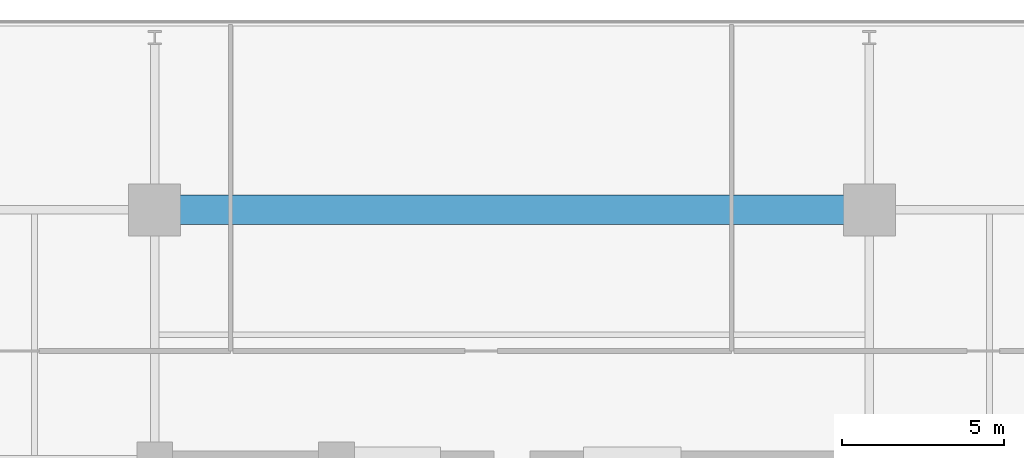
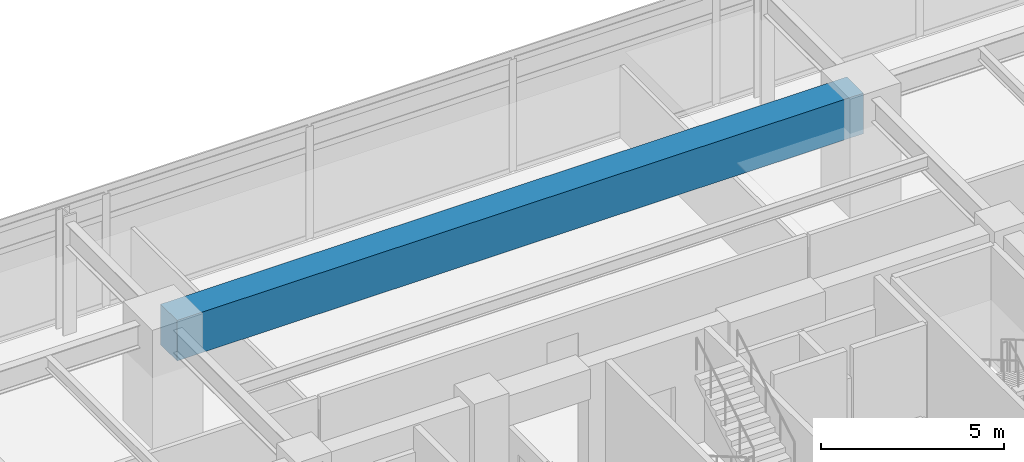
# One storey, part 9 of 23: 1 beam.
"""IFC4 building model written with IfcOpenShell, lengths in metres."""

import ifcopenshell
import ifcopenshell.guid

model = None  # the IFC model being written
_history = None  # IfcOwnerHistory: only IFC2X3 demands one
_inside = {}  # id of a spatial element -> (the spatial element, [elements in it])
_under = {}  # id of a project, library or spatial element -> (it, [spatial elements below it])
_declared = {}  # id of a project -> (the project, [libraries it declares])
_typed = {}  # id of a type object -> (the type object, [elements of that type])
_made_of = {}  # id of a material, layer set ... -> (it, [elements and type objects made of it])


def new_model(schema):
    """Start an empty IFC model of exactly this schema.

    Asked for "IFC4X3", IfcOpenShell would pick the latest addendum, in which some entities
    have other attributes; the version numbers below select the first issue.
    IFC2X3 requires an IfcOwnerHistory on every rooted entity: one is made here for all.
    """
    global model, _history
    if schema == "IFC4X3":
        model = ifcopenshell.file(schema_version=(4, 3, 0, 0))
    else:
        model = ifcopenshell.file(schema=schema)
    _inside.clear()
    _under.clear()
    _declared.clear()
    _typed.clear()
    _made_of.clear()
    _history = None
    if model.schema == "IFC2X3":
        org = make("IfcOrganization", Name="unknown")
        user = make(
            "IfcPersonAndOrganization",
            ThePerson=make("IfcPerson", FamilyName="unknown"),
            TheOrganization=org,
        )
        app = make(
            "IfcApplication",
            ApplicationDeveloper=org,
            Version="unknown",
            ApplicationFullName="unknown",
            ApplicationIdentifier="unknown",
        )
        _history = make(
            "IfcOwnerHistory",
            OwningUser=user,
            OwningApplication=app,
            ChangeAction="ADDED",
            CreationDate=0,
        )
    return model


def make(cls, **values):
    """One entity of the class cls with the attributes given. An attribute that is None is left unset."""
    return model.create_entity(
        cls, **{name: value for name, value in values.items() if value is not None}
    )


def rooted(cls, **values):
    """An entity with a GlobalId (a new one), such as an element, a storey or a relation."""
    return make(cls, GlobalId=ifcopenshell.guid.new(), OwnerHistory=_history, **values)


def si_unit(unit_type, name, prefix=None):
    """IfcSIUnit, for example si_unit("LENGTHUNIT", "METRE", prefix="MILLI")."""
    return make("IfcSIUnit", UnitType=unit_type, Prefix=prefix, Name=name)


def assignment(units):
    """IfcUnitAssignment: the units of a project."""
    return None if units is None else make("IfcUnitAssignment", Units=units)


def point(xyz):
    """IfcCartesianPoint."""
    return None if xyz is None else make("IfcCartesianPoint", Coordinates=xyz)


def direction(xyz):
    """IfcDirection."""
    return None if xyz is None else make("IfcDirection", DirectionRatios=xyz)


def frame(location, z_axis=None, x_axis=None):
    """IfcAxis2Placement3D, a coordinate frame: its origin and axes. An axis left out is left unset."""
    return make(
        "IfcAxis2Placement3D",
        Location=point(location),
        Axis=direction(z_axis),
        RefDirection=direction(x_axis),
    )


def frame_2d(location, x_axis=None):
    """IfcAxis2Placement2D, a coordinate frame in the plane: its origin and x axis."""
    return make(
        "IfcAxis2Placement2D", Location=point(location), RefDirection=direction(x_axis)
    )


def origin():
    """The frame at (0, 0, 0) with its axes left unset."""
    return frame((0.0, 0.0, 0.0))


def origin_2d():
    """The frame at (0, 0) in the plane with its x axis left unset."""
    return frame_2d((0.0, 0.0))


def place(relative_to, where):
    """IfcLocalPlacement: puts the frame where relative to a parent placement (None: the world)."""
    return make(
        "IfcLocalPlacement", PlacementRelTo=relative_to, RelativePlacement=where
    )


def context(
    kind, dimensions, precision=None, world=None, true_north=None, identifier=None
):
    """IfcGeometricRepresentationContext, for example the 3D "Model" context."""
    return make(
        "IfcGeometricRepresentationContext",
        ContextIdentifier=identifier,
        ContextType=kind,
        CoordinateSpaceDimension=dimensions,
        Precision=precision,
        WorldCoordinateSystem=world,
        TrueNorth=true_north,
    )


def subcontext(parent, identifier, kind, view, scale=None):
    """IfcGeometricRepresentationSubContext, for example "Body" below "Model"."""
    return make(
        "IfcGeometricRepresentationSubContext",
        ContextIdentifier=identifier,
        ContextType=kind,
        ParentContext=parent,
        TargetScale=scale,
        TargetView=view,
    )


def project(units=None, contexts=None):
    """IfcProject with its units and contexts."""
    return rooted(
        "IfcProject",
        Name="project",
        RepresentationContexts=contexts,
        UnitsInContext=assignment(units),
    )


def spatial(cls, under=None, at=None, **own):
    """A site, building, storey or space (cls), placed at a placement, below another one or the project."""
    s = rooted(cls, ObjectPlacement=at, **own)
    if under is not None:
        _under.setdefault(under.id(), (under, []))[1].append(s)
    return s


def profile(cls, at=None, kind="AREA", **sizes):
    """A parametric profile (cls). Its sizes go by their IFC names, for example OverallWidth=200.0."""
    return make(cls, ProfileType=kind, Position=at, **sizes)


def rectangle(**sizes):
    """IfcRectangleProfileDef."""
    return profile("IfcRectangleProfileDef", **sizes)


def extrude(swept, where, along, depth):
    """IfcExtrudedAreaSolid: the profile swept, set in the frame where, extruded along a direction by depth."""
    return make(
        "IfcExtrudedAreaSolid",
        SweptArea=swept,
        Position=where,
        ExtrudedDirection=direction(along),
        Depth=depth,
    )


def shape(context_of_items, identifier, shape_type, items):
    """IfcShapeRepresentation: the items that make up one representation, for example the "Body"."""
    return make(
        "IfcShapeRepresentation",
        ContextOfItems=context_of_items,
        RepresentationIdentifier=identifier,
        RepresentationType=shape_type,
        Items=items,
    )


def material(Name=None, Category=None):
    """IfcMaterial."""
    return make("IfcMaterial", Name=Name, Category=Category)


def material_profile(
    of_material, cross_section, Name=None, Category=None, Priority=None
):
    """IfcMaterialProfile: a cross section and its material."""
    return make(
        "IfcMaterialProfile",
        Name=Name,
        Material=of_material,
        Profile=cross_section,
        Priority=Priority,
        Category=Category,
    )


def profile_set(profiles, Name=None, composite=None):
    """IfcMaterialProfileSet."""
    return make(
        "IfcMaterialProfileSet",
        Name=Name,
        MaterialProfiles=profiles,
        CompositeProfile=composite,
    )


def made_of(thing, what):
    """Note that an element or type object is made of a material, layer set ...; save() writes the relation."""
    if what is not None:
        _made_of.setdefault(what.id(), (what, []))[1].append(thing)
    return thing


def type_object(cls, material=None, **own):
    """A type object (cls), such as IfcWallType, which elements share."""
    return made_of(rooted(cls, **own), material)


def element(
    cls,
    number,
    at=None,
    inside=None,
    cuts=None,
    type_object=None,
    material=None,
    context=None,
    identifier="Body",
    shape_type=None,
    held_by="IfcProductDefinitionShape",
    body=None,
    shapes=None,
    **own,
):
    """One element of the class cls, such as IfcWall. Its Tag is "e" and its number.

    at: its placement. inside: the storey or other place that contains it. cuts: it is an
    opening in that element (IfcRelVoidsElement). A single representation is given by context,
    identifier, shape_type and body (its items); several are given by shapes. held_by: the class
    of the entity that holds the representations. save() writes the other relations.
    """
    e = rooted(cls, Tag="e%d" % number, ObjectPlacement=at, **own)
    if body is not None:
        shapes = [shape(context, identifier, shape_type, body)]
    if shapes is not None:
        e.Representation = make(held_by, Representations=shapes)
    if inside is not None:
        _inside.setdefault(inside.id(), (inside, []))[1].append(e)
    if cuts is not None:
        rooted(
            "IfcRelVoidsElement", RelatingBuildingElement=cuts, RelatedOpeningElement=e
        )
    if type_object is not None:
        _typed.setdefault(type_object.id(), (type_object, []))[1].append(e)
    return made_of(e, material)


def aggregate(whole, parts):
    """IfcRelAggregates: a whole, such as a stair, and the parts it consists of."""
    return rooted("IfcRelAggregates", RelatingObject=whole, RelatedObjects=parts)


def save(model, path):
    """Write the relations noted so far, then the file.

    IfcRelAggregates (storeys below a building ...), IfcRelContainedInSpatialStructure (elements
    in a storey), IfcRelDefinesByType, IfcRelAssociatesMaterial and IfcRelDeclares: one each for
    every whole, place, type object, material and project.
    """
    for whole, parts in _under.values():
        aggregate(whole, parts)
    for where, things in _inside.values():
        rooted(
            "IfcRelContainedInSpatialStructure",
            RelatedElements=things,
            RelatingStructure=where,
        )
    for kind, things in _typed.values():
        rooted("IfcRelDefinesByType", RelatedObjects=things, RelatingType=kind)
    for what, things in _made_of.values():
        rooted("IfcRelAssociatesMaterial", RelatedObjects=things, RelatingMaterial=what)
    for by, libraries in _declared.values():
        rooted("IfcRelDeclares", RelatingContext=by, RelatedDefinitions=libraries)
    model.write(path)


model = new_model("IFC4")

# Units and contexts
model_context = context("Model", 3, precision=1e-05, world=origin(), true_north=direction((0.0, 1.0)))
body_context = subcontext(model_context, "Body", "Model", "MODEL_VIEW")
ifc_project = project(units=[si_unit("LENGTHUNIT", "METRE"), si_unit("AREAUNIT", "SQUARE_METRE"), si_unit("VOLUMEUNIT", "CUBIC_METRE"), si_unit("PLANEANGLEUNIT", "RADIAN"), si_unit("MASSUNIT", "GRAM", prefix="KILO")], contexts=[model_context])

# Site, building, storey
site_placement = place(None, origin())
site = spatial("IfcSite", under=ifc_project, at=site_placement, CompositionType="ELEMENT")
building_placement = place(site_placement, origin())
building = spatial("IfcBuilding", under=site, at=building_placement, Name="Kovane Verandah Tower", CompositionType="ELEMENT")
storey_placement = place(building_placement, frame((0.0, 0.0, 136.39990234375)))
storey = spatial("IfcBuildingStorey", under=building, at=storey_placement, Name="L31", CompositionType="ELEMENT", Elevation=136.39990234375)

# Beam
ifc_material = material(Name="Concrete C80/95", Category="concrete")
ifc_material_profile = material_profile(ifc_material, rectangle(XDim=0.89990234375, YDim=1.35009765625, at=origin_2d()), Name="RCB900x1350")
ifc_profile_set = profile_set([ifc_material_profile], Name="Concrete C80/95")
beam_type = type_object("IfcBeamType", Name="BM-TR-900x1350", PredefinedType="BEAM", material=ifc_profile_set)
beam_placement = place(storey_placement, frame((29.179931640625, 44.199951171875, 3.10009765625), z_axis=(1.0, 0.0, 0.0), x_axis=(0.0, 1.0, 0.0)))
element("IfcBeam", 1, at=beam_placement, inside=storey, type_object=beam_type, Name="L31 Primary Tower Girder G-RN2", PredefinedType="BEAM", context=body_context, shape_type="SweptSolid", body=[
    extrude(rectangle(XDim=0.89990234375, YDim=1.35009765625, at=origin_2d()), origin(), (0.0, 0.0, 1.0), 21.64013671875),
])

save(model, "model.ifc")
